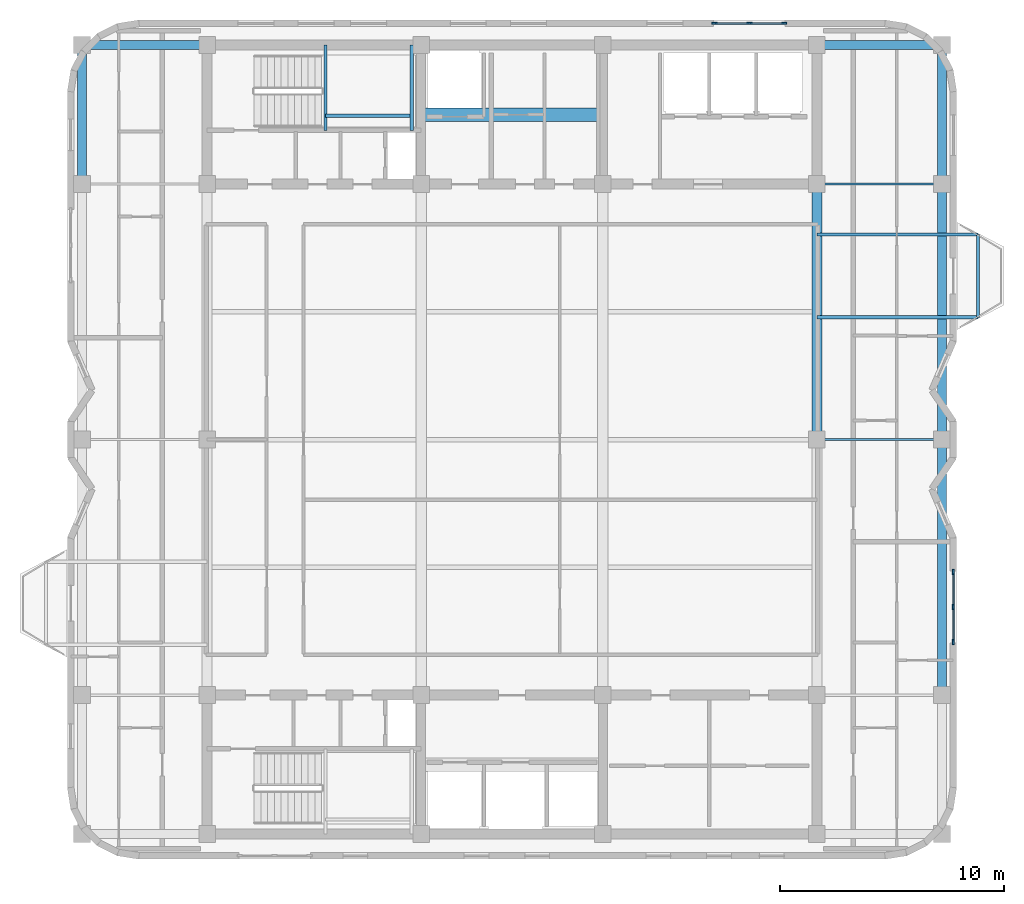
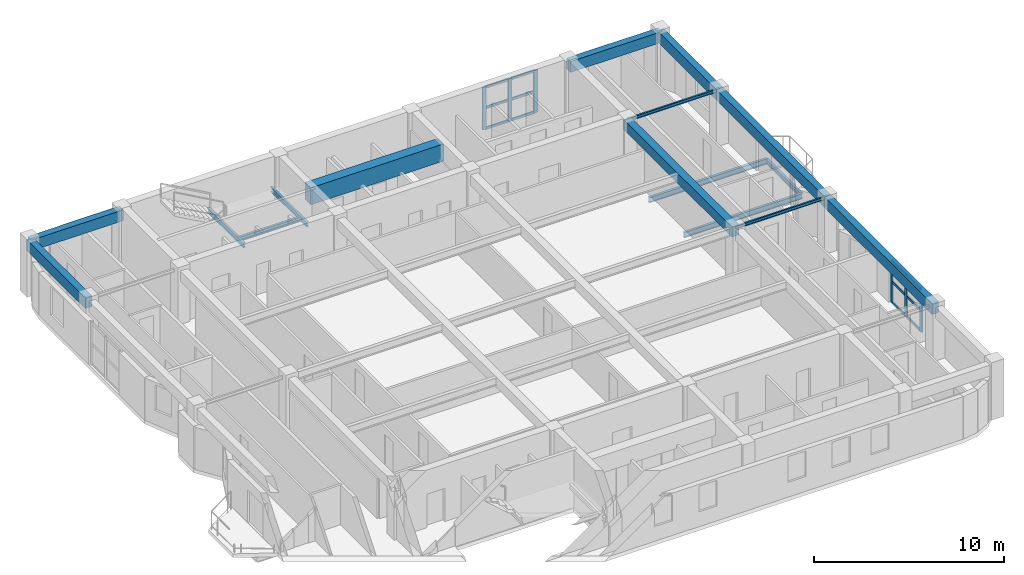
# One storey, part 3 of 11: 18 members, 16 beams, 2 elements without a shape of their own.
"""IFC4 building model written with IfcOpenShell, lengths in metres."""

from ifc_helpers import new_model, si_unit, direction, frame, origin, origin_2d, place, context, subcontext, project, spatial, rectangle, i_section, extrude, material, material_profile, profile_set, type_object, element, aggregate, save


model = new_model("IFC4")

# Units and contexts
model_context = context("Model", 3, precision=1e-05, world=origin(), true_north=direction((0.0, 1.0)))
body_context = subcontext(model_context, "Body", "Model", "MODEL_VIEW")
ifc_project = project(units=[si_unit("LENGTHUNIT", "METRE"), si_unit("AREAUNIT", "SQUARE_METRE"), si_unit("VOLUMEUNIT", "CUBIC_METRE"), si_unit("PLANEANGLEUNIT", "RADIAN"), si_unit("MASSUNIT", "GRAM", prefix="KILO")], contexts=[model_context])

# Site, building, storey
site_placement = place(None, origin())
site = spatial("IfcSite", under=ifc_project, at=site_placement, CompositionType="ELEMENT")
building_placement = place(site_placement, origin())
building = spatial("IfcBuilding", under=site, at=building_placement, Name="Svetorya Sky Lyceum", CompositionType="ELEMENT")
storey_placement = place(building_placement, frame((0.0, 0.0, 289.800048828125)))
storey = spatial("IfcBuildingStorey", under=building, at=storey_placement, Name="L73", CompositionType="ELEMENT", Elevation=289.800048828125)

# Beams
ifc_material_1 = material(Name="Concrete C60/75", Category="concrete")
ifc_material_profile_1 = material_profile(ifc_material_1, rectangle(XDim=0.60009765625, YDim=1.10009765625, at=origin_2d()), Name="RC COUPLING 600x1100")
ifc_profile_set_1 = profile_set([ifc_material_profile_1], Name="Concrete C60/75")
beam_type_1 = type_object("IfcBeamType", Name="BM-CPL-1100", PredefinedType="LINTEL", material=ifc_profile_set_1)
beam_1_placement = place(storey_placement, frame((35.14990234375, 42.699951171875, 2.89990234375), z_axis=(1.0, 0.0, 0.0), x_axis=(0.0, 1.0, 0.0)))
element("IfcBeam", 1, at=beam_1_placement, inside=storey, type_object=beam_type_1, Name="L73 NC Core Coupling Beam", PredefinedType="LINTEL", context=body_context, shape_type="SweptSolid", body=[
    extrude(rectangle(XDim=0.60009765625, YDim=1.10009765625, at=origin_2d()), origin(), (0.0, 0.0, 1.0), 8.10009765625),
])
ifc_material_2 = material(Name="Concrete C40/50", Category="concrete")
ifc_material_profile_2 = material_profile(ifc_material_2, rectangle(XDim=0.449951171875, YDim=0.64990234375, at=origin_2d()), Name="RC BEAM 450x650")
ifc_profile_set_2 = profile_set([ifc_material_profile_2], Name="Concrete C40/50")
beam_type_2 = type_object("IfcBeamType", Name="BM-RC-650", PredefinedType="BEAM", material=ifc_profile_set_2)
beam_2_placement = place(storey_placement, frame((52.800048828125, 28.199951171875, 3.125), z_axis=(0.0, 1.0, 0.0), x_axis=(-1.0, 0.0, 0.0)))
element("IfcBeam", 2, at=beam_2_placement, inside=storey, type_object=beam_type_2, Name="L73 Central Bay Primary Girder CG-4B", PredefinedType="BEAM", context=body_context, shape_type="SweptSolid", body=[
    extrude(rectangle(XDim=0.449951171875, YDim=0.64990234375, at=origin_2d()), origin(), (0.0, 0.0, 1.0), 11.400146484375),
])
ifc_material_3 = material(Name="Concrete C50/60", Category="concrete")
ifc_material_profile_3 = material_profile(ifc_material_3, rectangle(XDim=0.39990234375, YDim=0.699951171875, at=origin_2d()), Name="RC SPANDREL 400x700")
ifc_profile_set_3 = profile_set([ifc_material_profile_3], Name="Concrete C50/60")
beam_type_3 = type_object("IfcBeamType", Name="BM-SPN-700", PredefinedType="SPANDREL", material=ifc_profile_set_3)
beam_3_placement = place(storey_placement, frame((20.010009765625, 45.800048828125, 3.099853515625), z_axis=(1.0, 0.0, 0.0), x_axis=(0.0, 1.0, 0.0)))
element("IfcBeam", 3, at=beam_3_placement, inside=storey, type_object=beam_type_3, Name="L73 Tie Spandrel NW", PredefinedType="SPANDREL", context=body_context, shape_type="SweptSolid", body=[
    extrude(rectangle(XDim=0.39990234375, YDim=0.699951171875, at=origin_2d()), origin(), (0.0, 0.0, 1.0), 5.590087890625),
])
beam_4_placement = place(storey_placement, frame((52.800048828125, 45.800048828125, 3.099853515625), z_axis=(1.0, 0.0, 0.0), x_axis=(0.0, 1.0, 0.0)))
element("IfcBeam", 4, at=beam_4_placement, inside=storey, type_object=beam_type_3, Name="L73 Tie Spandrel NE", PredefinedType="SPANDREL", context=body_context, shape_type="SweptSolid", body=[
    extrude(rectangle(XDim=0.39990234375, YDim=0.699951171875, at=origin_2d()), origin(), (0.0, 0.0, 1.0), 5.58984375),
])
beam_5_placement = place(storey_placement, frame((20.010009765625, 39.60009765625, 3.099853515625), z_axis=(0.0, 1.0, 0.0), x_axis=(-1.0, 0.0, 0.0)))
element("IfcBeam", 5, at=beam_5_placement, inside=storey, type_object=beam_type_3, Name="L73 West Spandrel 4", PredefinedType="SPANDREL", context=body_context, shape_type="SweptSolid", body=[
    extrude(rectangle(XDim=0.39990234375, YDim=0.699951171875, at=origin_2d()), origin(), (0.0, 0.0, 1.0), 6.199951171875),
])
beam_6_placement = place(storey_placement, frame((58.389892578125, 16.800048828125, 3.099853515625), z_axis=(0.0, 1.0, 0.0), x_axis=(-1.0, 0.0, 0.0)))
element("IfcBeam", 6, at=beam_6_placement, inside=storey, type_object=beam_type_3, Name="L73 East Spandrel 2", PredefinedType="SPANDREL", context=body_context, shape_type="SweptSolid", body=[
    extrude(rectangle(XDim=0.39990234375, YDim=0.699951171875, at=origin_2d()), origin(), (0.0, 0.0, 1.0), 11.39990234375),
])
beam_7_placement = place(storey_placement, frame((58.389892578125, 28.199951171875, 3.099853515625), z_axis=(0.0, 1.0, 0.0), x_axis=(-1.0, 0.0, 0.0)))
element("IfcBeam", 7, at=beam_7_placement, inside=storey, type_object=beam_type_3, Name="L73 East Spandrel 3", PredefinedType="SPANDREL", context=body_context, shape_type="SweptSolid", body=[
    extrude(rectangle(XDim=0.39990234375, YDim=0.699951171875, at=origin_2d()), origin(), (0.0, 0.0, 1.0), 11.400146484375),
])
beam_8_placement = place(storey_placement, frame((58.389892578125, 39.60009765625, 3.099853515625), z_axis=(0.0, 1.0, 0.0), x_axis=(-1.0, 0.0, 0.0)))
element("IfcBeam", 8, at=beam_8_placement, inside=storey, type_object=beam_type_3, Name="L73 East Spandrel 4", PredefinedType="SPANDREL", context=body_context, shape_type="SweptSolid", body=[
    extrude(rectangle(XDim=0.39990234375, YDim=0.699951171875, at=origin_2d()), origin(), (0.0, 0.0, 1.0), 6.199951171875),
])
ifc_material_4 = material(Name="Steel S355", Category="steel")
ifc_material_profile_4 = material_profile(ifc_material_4, i_section(OverallWidth=0.10009765625, OverallDepth=0.199951171875, WebThickness=0.005615234375, FlangeThickness=0.008544921875, at=origin_2d()), Name="GOST 20B1")
ifc_profile_set_4 = profile_set([ifc_material_profile_4], Name="Steel S355")
beam_type_4 = type_object("IfcBeamType", Name="BM-STL-20B1", PredefinedType="JOIST", material=ifc_profile_set_4)
for number, where, z_axis, x_axis, name in (
    (9, (52.800048828125, 28.199951171875, 3.349853515625), (1.0, 0.0, 0.0), (0.0, 1.0, 0.0), "L73 East Wing Floor Joist E3"),
    (10, (52.800048828125, 39.60009765625, 3.349853515625), (1.0, 0.0, 0.0), (0.0, 1.0, 0.0), "L73 East Wing Floor Joist E4"),
):
    element("IfcBeam", number, at=place(storey_placement, frame(where, z_axis=z_axis, x_axis=x_axis)), inside=storey, type_object=beam_type_4, Name=name, PredefinedType="JOIST", context=body_context, shape_type="SweptSolid", body=[
        extrude(i_section(OverallWidth=0.10009765625, OverallDepth=0.199951171875, WebThickness=0.005615234375, FlangeThickness=0.008544921875, at=origin_2d()), origin(), (0.0, 0.0, 1.0), 5.58984375),
    ])
ifc_material_profile_5 = material_profile(ifc_material_4, i_section(OverallWidth=0.14990234375, OverallDepth=0.299072265625, WebThickness=0.006591796875, FlangeThickness=0.010498046875, at=origin_2d()), Name="GOST 30B2")
ifc_profile_set_5 = profile_set([ifc_material_profile_5], Name="Steel S355")
beam_type_5 = type_object("IfcBeamType", Name="BM-STL-30B2", PredefinedType="JOIST", material=ifc_profile_set_5)
beam_9_placement = place(storey_placement, frame((59.989990234375, 33.64990234375, -0.424560546875), z_axis=(0.0, 1.0, 0.0), x_axis=(-1.0, 0.0, 0.0)))
element("IfcBeam", 11, at=beam_9_placement, inside=storey, type_object=beam_type_5, Name="L73 Balcony Edge Tie BAL-E1", PredefinedType="JOIST", context=body_context, shape_type="SweptSolid", body=[
    extrude(i_section(OverallWidth=0.14990234375, OverallDepth=0.299072265625, WebThickness=0.006591796875, FlangeThickness=0.010498046875, at=origin_2d()), origin(), (0.0, 0.0, 1.0), 3.7001953125),
])
for number, where, z_axis, x_axis, name in (
    (12, (30.8798828125, 42.0, 1.50048828125), (0.0, 1.0, 0.0), (-1.0, 0.0, 0.0), "L73 Stair ST-N Half-Landing Support Beam 81.1"),
    (13, (34.719970703125, 42.0, 1.50048828125), (0.0, 1.0, 0.0), (-1.0, 0.0, 0.0), "L73 Stair ST-N Half-Landing Support Beam 81.2"),
):
    element("IfcBeam", number, at=place(storey_placement, frame(where, z_axis=z_axis, x_axis=x_axis)), inside=storey, type_object=beam_type_5, Name=name, PredefinedType="JOIST", context=body_context, shape_type="SweptSolid", body=[
        extrude(i_section(OverallWidth=0.14990234375, OverallDepth=0.299072265625, WebThickness=0.006591796875, FlangeThickness=0.010498046875, at=origin_2d()), origin(), (0.0, 0.0, 1.0), 3.800048828125),
    ])
beam_10_placement = place(storey_placement, frame((30.8798828125, 42.64990234375, 1.50048828125), z_axis=(1.0, 0.0, 0.0), x_axis=(0.0, 1.0, 0.0)))
element("IfcBeam", 14, at=beam_10_placement, inside=storey, type_object=beam_type_5, Name="L73 Stair ST-N Half-Landing Cross Tie 81", PredefinedType="JOIST", context=body_context, shape_type="SweptSolid", body=[
    extrude(i_section(OverallWidth=0.14990234375, OverallDepth=0.299072265625, WebThickness=0.006591796875, FlangeThickness=0.010498046875, at=origin_2d()), origin(), (0.0, 0.0, 1.0), 3.840087890625),
])
ifc_material_profile_6 = material_profile(ifc_material_4, i_section(OverallWidth=0.155029296875, OverallDepth=0.34912109375, WebThickness=0.007080078125, FlangeThickness=0.011474609375, at=origin_2d()), Name="GOST 35B2")
ifc_profile_set_6 = profile_set([ifc_material_profile_6], Name="Steel S355")
beam_type_6 = type_object("IfcBeamType", Name="BM-STL-35B2", PredefinedType="JOIST", material=ifc_profile_set_6)
for number, where, z_axis, x_axis, name in (
    (15, (52.800048828125, 33.64990234375, -0.424560546875), (1.0, 0.0, 0.0), (0.0, 1.0, 0.0), "L73 Balcony Cantilever Beam BAL-E1-1"),
    (16, (52.800048828125, 37.35009765625, -0.424560546875), (1.0, 0.0, 0.0), (0.0, 1.0, 0.0), "L73 Balcony Cantilever Beam BAL-E1-2"),
):
    element("IfcBeam", number, at=place(storey_placement, frame(where, z_axis=z_axis, x_axis=x_axis)), inside=storey, type_object=beam_type_6, Name=name, PredefinedType="JOIST", context=body_context, shape_type="SweptSolid", body=[
        extrude(i_section(OverallWidth=0.155029296875, OverallDepth=0.34912109375, WebThickness=0.007080078125, FlangeThickness=0.011474609375, at=origin_2d()), origin(), (0.0, 0.0, 1.0), 7.18994140625),
    ])

# Curtain wall, members
ifc_material_5 = material(Name="Thermally broken anodized aluminium and triple low-E glass", Category="aluminium")
curtain_wall_type = type_object("IfcCurtainWallType", Name="CW6-CRN-OBS", PredefinedType="NOTDEFINED", material=ifc_material_5)
curtain_wall_1_placement = place(storey_placement, origin())
curtain_wall_1 = element("IfcCurtainWall", 17, at=curtain_wall_1_placement, inside=storey, type_object=curtain_wall_type, Name="L73 Observatory Curtain Wall 12", PredefinedType="NOTDEFINED")
ifc_material_6 = material(Name="Thermally broken anodized aluminium EN AW-6060", Category="aluminium")
ifc_material_profile_7 = material_profile(ifc_material_6, rectangle(XDim=0.0849609375, YDim=0.239990234375, at=origin_2d()), Name="ALU MULLION 85x240")
ifc_profile_set_7 = profile_set([ifc_material_profile_7], Name="Thermally broken anodized aluminium EN AW-6060")
member_type_1 = type_object("IfcMemberType", Name="CWM-MUL-240", PredefinedType="MULLION", material=ifc_profile_set_7)
member_1_placement = place(storey_placement, frame((58.889892578125, 19.172607421875, 0.0), z_axis=(0.0, 0.0, 1.0), x_axis=(-1.0, 0.0, 0.0)))
member_1 = element("IfcMember", 18, at=member_1_placement, type_object=member_type_1, Name="CW-6 mullion 1", PredefinedType="MULLION", context=body_context, shape_type="SweptSolid", body=[
    extrude(rectangle(XDim=0.0849609375, YDim=0.239990234375, at=origin_2d()), origin(), (0.0, 0.0, 1.0), 2.72998046875),
])
member_2_placement = place(storey_placement, frame((58.889892578125, 20.72998046875, 0.0), z_axis=(0.0, 0.0, 1.0), x_axis=(-1.0, 0.0, 0.0)))
member_2 = element("IfcMember", 19, at=member_2_placement, type_object=member_type_1, Name="CW-6 mullion 2", PredefinedType="MULLION", context=body_context, shape_type="SweptSolid", body=[
    extrude(rectangle(XDim=0.0849609375, YDim=0.239990234375, at=origin_2d()), origin(), (0.0, 0.0, 1.0), 2.72998046875),
])
member_3_placement = place(storey_placement, frame((58.889892578125, 22.28759765625, 0.0), z_axis=(0.0, 0.0, 1.0), x_axis=(-1.0, 0.0, 0.0)))
member_3 = element("IfcMember", 20, at=member_3_placement, type_object=member_type_1, Name="CW-6 mullion 3", PredefinedType="MULLION", context=body_context, shape_type="SweptSolid", body=[
    extrude(rectangle(XDim=0.0849609375, YDim=0.239990234375, at=origin_2d()), origin(), (0.0, 0.0, 1.0), 2.72998046875),
])

curtain_wall_2_placement = place(storey_placement, origin())
curtain_wall_2 = element("IfcCurtainWall", 21, at=curtain_wall_2_placement, inside=storey, type_object=curtain_wall_type, Name="L73 Observatory Curtain Wall 24", PredefinedType="NOTDEFINED")
member_4_placement = place(storey_placement, frame((51.347412109375, 46.77001953125, 0.0), z_axis=(0.0, 0.0, 1.0), x_axis=(0.0, -1.0, 0.0)))
member_4 = element("IfcMember", 22, at=member_4_placement, type_object=member_type_1, Name="CW-6 mullion 1", PredefinedType="MULLION", context=body_context, shape_type="SweptSolid", body=[
    extrude(rectangle(XDim=0.0849609375, YDim=0.239990234375, at=origin_2d()), origin(), (0.0, 0.0, 1.0), 2.72998046875),
])
member_5_placement = place(storey_placement, frame((49.7900390625, 46.77001953125, 0.0), z_axis=(0.0, 0.0, 1.0), x_axis=(0.0, -1.0, 0.0)))
member_5 = element("IfcMember", 23, at=member_5_placement, type_object=member_type_1, Name="CW-6 mullion 2", PredefinedType="MULLION", context=body_context, shape_type="SweptSolid", body=[
    extrude(rectangle(XDim=0.0849609375, YDim=0.239990234375, at=origin_2d()), origin(), (0.0, 0.0, 1.0), 2.72998046875),
])
member_6_placement = place(storey_placement, frame((48.232421875, 46.77001953125, 0.0), z_axis=(0.0, 0.0, 1.0), x_axis=(0.0, -1.0, 0.0)))
member_6 = element("IfcMember", 24, at=member_6_placement, type_object=member_type_1, Name="CW-6 mullion 3", PredefinedType="MULLION", context=body_context, shape_type="SweptSolid", body=[
    extrude(rectangle(XDim=0.0849609375, YDim=0.239990234375, at=origin_2d()), origin(), (0.0, 0.0, 1.0), 2.72998046875),
])

# Member
ifc_material_profile_8 = material_profile(ifc_material_6, rectangle(XDim=0.074951171875, YDim=0.159912109375, at=origin_2d()), Name="ALU TRANSOM 75x160")
ifc_profile_set_8 = profile_set([ifc_material_profile_8], Name="Thermally broken anodized aluminium EN AW-6060")
member_type_2 = type_object("IfcMemberType", Name="CWM-TRN-160", PredefinedType="USERDEFINED", material=ifc_profile_set_8)
member_7_placement = place(storey_placement, frame((58.889892578125, 19.21337890625, 0.037353515625), z_axis=(0.0, 1.0, 0.0), x_axis=(-1.0, 0.0, 0.0)))
member_7 = element("IfcMember", 25, at=member_7_placement, type_object=member_type_2, Name="CW-6 transom 1.1", ObjectType="TRANSOM", PredefinedType="USERDEFINED", context=body_context, shape_type="SweptSolid", body=[
    extrude(rectangle(XDim=0.074951171875, YDim=0.159912109375, at=origin_2d()), origin(), (0.0, 0.0, 1.0), 1.4755859375),
])

member_8_placement = place(storey_placement, frame((58.889892578125, 19.21337890625, 1.364990234375), z_axis=(0.0, 1.0, 0.0), x_axis=(-1.0, 0.0, 0.0)))
member_8 = element("IfcMember", 26, at=member_8_placement, type_object=member_type_2, Name="CW-6 transom 1.2", ObjectType="TRANSOM", PredefinedType="USERDEFINED", context=body_context, shape_type="SweptSolid", body=[
    extrude(rectangle(XDim=0.074951171875, YDim=0.159912109375, at=origin_2d()), origin(), (0.0, 0.0, 1.0), 1.4755859375),
])

member_9_placement = place(storey_placement, frame((58.889892578125, 19.21337890625, 2.6923828125), z_axis=(0.0, 1.0, 0.0), x_axis=(-1.0, 0.0, 0.0)))
member_9 = element("IfcMember", 27, at=member_9_placement, type_object=member_type_2, Name="CW-6 transom 1.3", ObjectType="TRANSOM", PredefinedType="USERDEFINED", context=body_context, shape_type="SweptSolid", body=[
    extrude(rectangle(XDim=0.074951171875, YDim=0.159912109375, at=origin_2d()), origin(), (0.0, 0.0, 1.0), 1.4755859375),
])

member_10_placement = place(storey_placement, frame((58.889892578125, 20.77099609375, 0.037353515625), z_axis=(0.0, 1.0, 0.0), x_axis=(-1.0, 0.0, 0.0)))
member_10 = element("IfcMember", 28, at=member_10_placement, type_object=member_type_2, Name="CW-6 transom 2.1", ObjectType="TRANSOM", PredefinedType="USERDEFINED", context=body_context, shape_type="SweptSolid", body=[
    extrude(rectangle(XDim=0.074951171875, YDim=0.159912109375, at=origin_2d()), origin(), (0.0, 0.0, 1.0), 1.4755859375),
])

member_11_placement = place(storey_placement, frame((58.889892578125, 20.77099609375, 1.364990234375), z_axis=(0.0, 1.0, 0.0), x_axis=(-1.0, 0.0, 0.0)))
member_11 = element("IfcMember", 29, at=member_11_placement, type_object=member_type_2, Name="CW-6 transom 2.2", ObjectType="TRANSOM", PredefinedType="USERDEFINED", context=body_context, shape_type="SweptSolid", body=[
    extrude(rectangle(XDim=0.074951171875, YDim=0.159912109375, at=origin_2d()), origin(), (0.0, 0.0, 1.0), 1.4755859375),
])

member_12_placement = place(storey_placement, frame((58.889892578125, 20.77099609375, 2.6923828125), z_axis=(0.0, 1.0, 0.0), x_axis=(-1.0, 0.0, 0.0)))
member_12 = element("IfcMember", 30, at=member_12_placement, type_object=member_type_2, Name="CW-6 transom 2.3", ObjectType="TRANSOM", PredefinedType="USERDEFINED", context=body_context, shape_type="SweptSolid", body=[
    extrude(rectangle(XDim=0.074951171875, YDim=0.159912109375, at=origin_2d()), origin(), (0.0, 0.0, 1.0), 1.4755859375),
])

aggregate(curtain_wall_1, [member_1, member_2, member_3, member_7, member_8, member_9, member_10, member_11, member_12])

member_13_placement = place(storey_placement, frame((51.306396484375, 46.77001953125, 0.037353515625), z_axis=(-1.0, 0.0, 0.0), x_axis=(0.0, -1.0, 0.0)))
member_13 = element("IfcMember", 31, at=member_13_placement, type_object=member_type_2, Name="CW-6 transom 1.1", ObjectType="TRANSOM", PredefinedType="USERDEFINED", context=body_context, shape_type="SweptSolid", body=[
    extrude(rectangle(XDim=0.074951171875, YDim=0.159912109375, at=origin_2d()), origin(), (0.0, 0.0, 1.0), 1.475341796875),
])

member_14_placement = place(storey_placement, frame((51.306396484375, 46.77001953125, 1.364990234375), z_axis=(-1.0, 0.0, 0.0), x_axis=(0.0, -1.0, 0.0)))
member_14 = element("IfcMember", 32, at=member_14_placement, type_object=member_type_2, Name="CW-6 transom 1.2", ObjectType="TRANSOM", PredefinedType="USERDEFINED", context=body_context, shape_type="SweptSolid", body=[
    extrude(rectangle(XDim=0.074951171875, YDim=0.159912109375, at=origin_2d()), origin(), (0.0, 0.0, 1.0), 1.475341796875),
])

member_15_placement = place(storey_placement, frame((51.306396484375, 46.77001953125, 2.6923828125), z_axis=(-1.0, 0.0, 0.0), x_axis=(0.0, -1.0, 0.0)))
member_15 = element("IfcMember", 33, at=member_15_placement, type_object=member_type_2, Name="CW-6 transom 1.3", ObjectType="TRANSOM", PredefinedType="USERDEFINED", context=body_context, shape_type="SweptSolid", body=[
    extrude(rectangle(XDim=0.074951171875, YDim=0.159912109375, at=origin_2d()), origin(), (0.0, 0.0, 1.0), 1.475341796875),
])

member_16_placement = place(storey_placement, frame((49.7490234375, 46.77001953125, 0.037353515625), z_axis=(-1.0, 0.0, 0.0), x_axis=(0.0, -1.0, 0.0)))
member_16 = element("IfcMember", 34, at=member_16_placement, type_object=member_type_2, Name="CW-6 transom 2.1", ObjectType="TRANSOM", PredefinedType="USERDEFINED", context=body_context, shape_type="SweptSolid", body=[
    extrude(rectangle(XDim=0.074951171875, YDim=0.159912109375, at=origin_2d()), origin(), (0.0, 0.0, 1.0), 1.4755859375),
])

member_17_placement = place(storey_placement, frame((49.7490234375, 46.77001953125, 1.364990234375), z_axis=(-1.0, 0.0, 0.0), x_axis=(0.0, -1.0, 0.0)))
member_17 = element("IfcMember", 35, at=member_17_placement, type_object=member_type_2, Name="CW-6 transom 2.2", ObjectType="TRANSOM", PredefinedType="USERDEFINED", context=body_context, shape_type="SweptSolid", body=[
    extrude(rectangle(XDim=0.074951171875, YDim=0.159912109375, at=origin_2d()), origin(), (0.0, 0.0, 1.0), 1.4755859375),
])

member_18_placement = place(storey_placement, frame((49.7490234375, 46.77001953125, 2.6923828125), z_axis=(-1.0, 0.0, 0.0), x_axis=(0.0, -1.0, 0.0)))
member_18 = element("IfcMember", 36, at=member_18_placement, type_object=member_type_2, Name="CW-6 transom 2.3", ObjectType="TRANSOM", PredefinedType="USERDEFINED", context=body_context, shape_type="SweptSolid", body=[
    extrude(rectangle(XDim=0.074951171875, YDim=0.159912109375, at=origin_2d()), origin(), (0.0, 0.0, 1.0), 1.4755859375),
])

aggregate(curtain_wall_2, [member_4, member_5, member_6, member_13, member_14, member_15, member_16, member_17, member_18])

save(model, "model.ifc")
